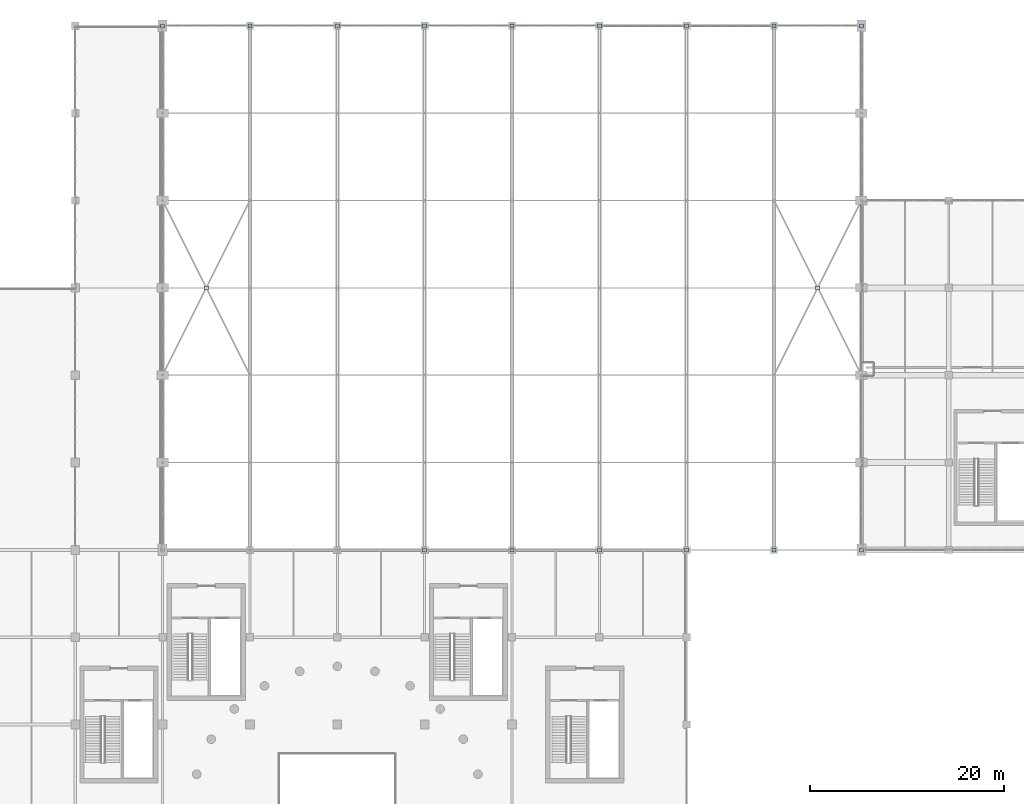
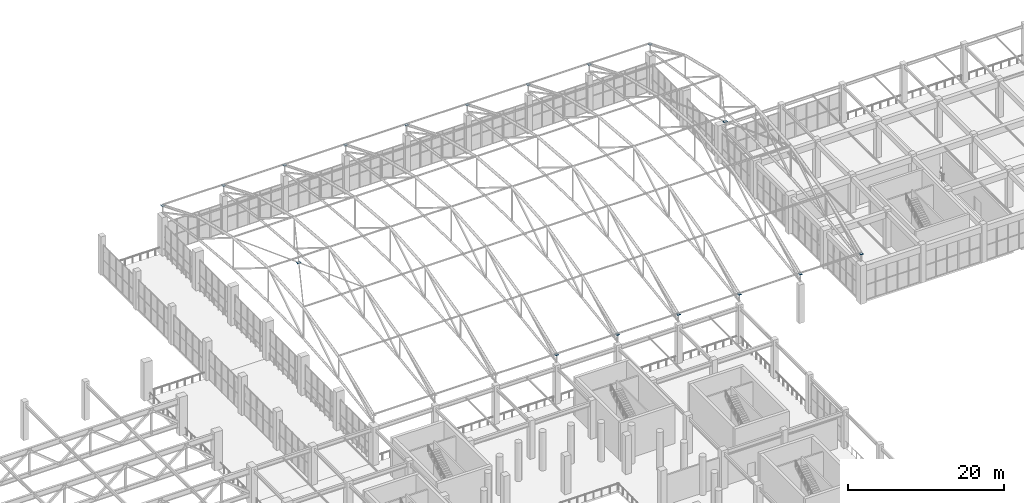
# One storey, part 187 of 223: 17 plates.
"""IFC4 building model written with IfcOpenShell, lengths in metres."""

from ifc_helpers import new_model, si_unit, direction, frame, origin, origin_2d, place, context, subcontext, project, spatial, rectangle, extrude, material, layer, layer_set, type_object, element, save


model = new_model("IFC4")

# Units and contexts
model_context = context("Model", 3, precision=1e-05, world=origin(), true_north=direction((0.0, 1.0)))
body_context = subcontext(model_context, "Body", "Model", "MODEL_VIEW")
ifc_project = project(units=[si_unit("LENGTHUNIT", "METRE"), si_unit("AREAUNIT", "SQUARE_METRE"), si_unit("VOLUMEUNIT", "CUBIC_METRE"), si_unit("PLANEANGLEUNIT", "RADIAN"), si_unit("MASSUNIT", "GRAM", prefix="KILO")], contexts=[model_context])

# Site, building, storey
site_placement = place(None, origin())
site = spatial("IfcSite", under=ifc_project, at=site_placement, CompositionType="ELEMENT")
building_placement = place(site_placement, origin())
building = spatial("IfcBuilding", under=site, at=building_placement, Name="Dornveld Trade and Exhibition Forum", CompositionType="ELEMENT")
storey_placement = place(building_placement, frame((0.0, 0.0, 6.0)))
storey = spatial("IfcBuildingStorey", under=building, at=storey_placement, Name="L01", CompositionType="ELEMENT", Elevation=6.0)

# Plates
ifc_material_1 = material(Name="Steel S355J2", Category="steel")
ifc_layer_1 = layer(ifc_material_1, 0.01611328125)
ifc_layer_set_1 = layer_set([ifc_layer_1], Name="Steel S355J2")
plate_type_1 = type_object("IfcPlateType", Name="PL-CAP-420x16", PredefinedType="SHEET", material=ifc_layer_set_1)
for number, where, z_axis, x_axis, name in (
    (1, (99.0, 162.0, 7.44189453125), (0.0, 0.0, 1.0), (1.0, 0.0, 0.0), "H1 truss 1 hollow end cap 2"),
    (2, (108.0, 162.0, 7.44189453125), (0.0, 0.0, 1.0), (1.0, 0.0, 0.0), "H1 truss 2 hollow end cap 2"),
    (3, (117.0, 162.0, 7.44189453125), (0.0, 0.0, 1.0), (1.0, 0.0, 0.0), "H1 truss 3 hollow end cap 2"),
    (4, (126.0, 108.0, 7.44189453125), (0.0, 0.0, 1.0), (1.0, 0.0, 0.0), "H1 truss 4 hollow end cap 1"),
    (5, (126.0, 162.0, 7.44189453125), (0.0, 0.0, 1.0), (1.0, 0.0, 0.0), "H1 truss 4 hollow end cap 2"),
    (6, (135.0, 108.0, 7.44189453125), (0.0, 0.0, 1.0), (1.0, 0.0, 0.0), "H1 truss 5 hollow end cap 1"),
    (7, (135.0, 162.0, 7.44189453125), (0.0, 0.0, 1.0), (1.0, 0.0, 0.0), "H1 truss 5 hollow end cap 2"),
    (8, (144.0, 108.0, 7.44189453125), (0.0, 0.0, 1.0), (1.0, 0.0, 0.0), "H1 truss 6 hollow end cap 1"),
    (9, (144.0, 162.0, 7.44189453125), (0.0, 0.0, 1.0), (1.0, 0.0, 0.0), "H1 truss 6 hollow end cap 2"),
    (10, (153.0, 108.0, 7.44189453125), (0.0, 0.0, 1.0), (1.0, 0.0, 0.0), "H1 truss 7 hollow end cap 1"),
    (11, (153.0, 162.0, 7.44189453125), (0.0, 0.0, 1.0), (1.0, 0.0, 0.0), "H1 truss 7 hollow end cap 2"),
    (12, (162.0, 108.0, 7.44189453125), (0.0, 0.0, 1.0), (1.0, 0.0, 0.0), "H1 truss 8 hollow end cap 1"),
    (13, (162.0, 162.0, 7.44189453125), (0.0, 0.0, 1.0), (1.0, 0.0, 0.0), "H1 truss 8 hollow end cap 2"),
    (14, (171.0, 108.0, 7.44189453125), (0.0, 0.0, 1.0), (1.0, 0.0, 0.0), "H1 truss 9 hollow end cap 1"),
    (15, (171.0, 162.0, 7.44189453125), (0.0, 0.0, 1.0), (1.0, 0.0, 0.0), "H1 truss 9 hollow end cap 2"),
):
    element("IfcPlate", number, at=place(storey_placement, frame(where, z_axis=z_axis, x_axis=x_axis)), inside=storey, type_object=plate_type_1, Name=name, PredefinedType="SHEET", context=body_context, shape_type="SweptSolid", body=[
        extrude(rectangle(XDim=0.419921875, YDim=0.419921875, at=origin_2d()), origin(), (0.0, 0.0, 1.0), 0.01611328125),
    ])
ifc_material_2 = material(Name="Steel S355J2", Category="steel")
ifc_layer_2 = layer(ifc_material_2, 0.02587890625)
ifc_layer_set_2 = layer_set([ifc_layer_2], Name="Steel S355J2")
plate_type_2 = type_object("IfcPlateType", Name="PL-NODE-02", PredefinedType="USERDEFINED", material=ifc_layer_set_2)
for number, where, z_axis, x_axis, name in (
    (16, (103.5, 135.0, 13.302734375), (0.0, 0.0, 1.0), (1.0, 0.0, 0.0), "H1 bay 1 X-brace crossing gusset plate"),
    (17, (166.5, 135.0, 13.302734375), (0.0, 0.0, 1.0), (1.0, 0.0, 0.0), "H1 bay 8 X-brace crossing gusset plate"),
):
    element("IfcPlate", number, at=place(storey_placement, frame(where, z_axis=z_axis, x_axis=x_axis)), inside=storey, type_object=plate_type_2, Name=name, ObjectType="GUSSET", PredefinedType="USERDEFINED", context=body_context, shape_type="SweptSolid", body=[
        extrude(rectangle(XDim=0.52001953125, YDim=0.39990234375, at=origin_2d()), origin(), (0.0, 0.0, 1.0), 0.028076171875),
    ])

save(model, "model.ifc")
